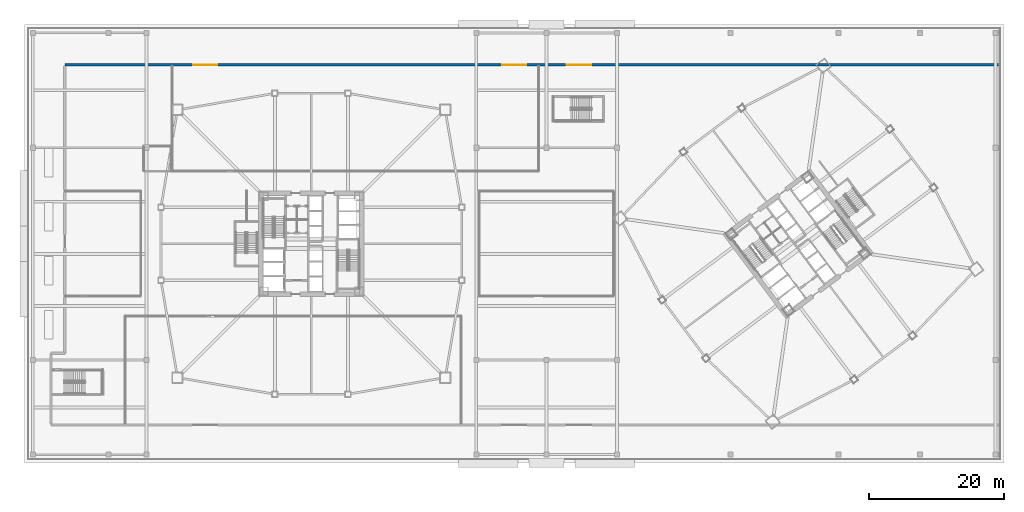
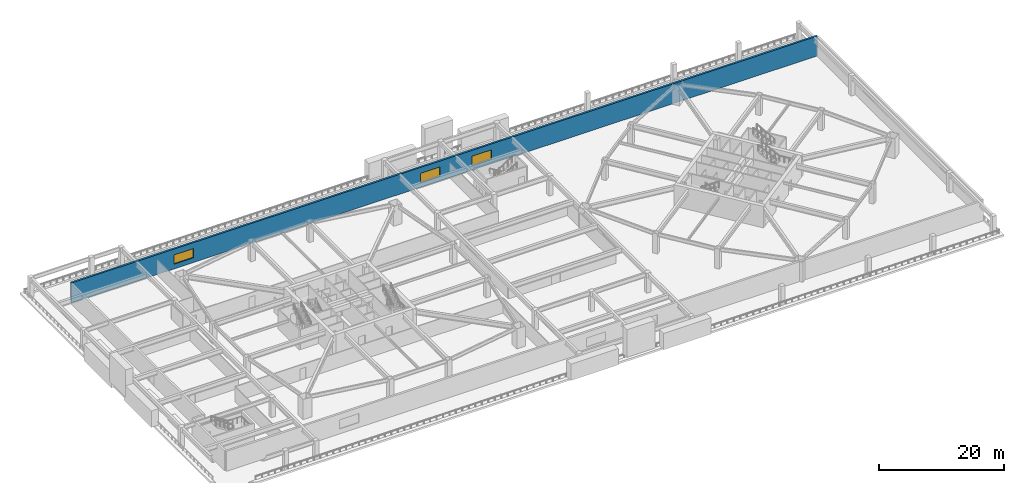
# One storey, part 9 of 20: 3 windows, 1 wall, 3 openings.
"""IFC4 building model written with IfcOpenShell, lengths in metres."""

from ifc_helpers import new_model, si_unit, direction, frame, frame_2d, origin, place, context, subcontext, project, spatial, rectangle, extrude, material, layer, layer_set, type_object, element, fill, save


model = new_model("IFC4")

# Units and contexts
model_context = context("Model", 3, precision=1e-05, world=origin(), true_north=direction((0.0, 1.0)))
body_context = subcontext(model_context, "Body", "Model", "MODEL_VIEW")
ifc_project = project(units=[si_unit("LENGTHUNIT", "METRE"), si_unit("AREAUNIT", "SQUARE_METRE"), si_unit("VOLUMEUNIT", "CUBIC_METRE"), si_unit("PLANEANGLEUNIT", "RADIAN"), si_unit("MASSUNIT", "GRAM", prefix="KILO")], contexts=[model_context])

# Site, building, storey
site_placement = place(None, origin())
site = spatial("IfcSite", under=ifc_project, at=site_placement, CompositionType="ELEMENT")
building_placement = place(site_placement, origin())
building = spatial("IfcBuilding", under=site, at=building_placement, Name="Tashvorn Skyway Center", CompositionType="ELEMENT")
storey_placement = place(building_placement, frame((0.0, 0.0, 15.60009765625)))
storey = spatial("IfcBuildingStorey", under=building, at=storey_placement, Name="L03", CompositionType="ELEMENT", Elevation=15.60009765625)

# Wall, openings, windows
ifc_material_1 = material(Name="Precast concrete C40/50", Category="concrete")
ifc_layer = layer(ifc_material_1, 0.35009765625)
ifc_layer_set = layer_set([ifc_layer], Name="Precast concrete C40/50")
wall_type = type_object("IfcWallType", Name="WALL-EXT-350", PredefinedType="SOLIDWALL", material=ifc_layer_set)
wall_placement = place(storey_placement, frame((5.550048828125, 58.449951171875, 0.0), z_axis=(0.0, 0.0, 1.0), x_axis=(1.0, 0.0, 0.0)))
wall = element("IfcWall", 1, at=wall_placement, inside=storey, type_object=wall_type, Name="L03 Stepped North Postmodern Facade Wall", PredefinedType="SOLIDWALL", context=body_context, shape_type="SweptSolid", body=[
    extrude(rectangle(XDim=138.27490234375, YDim=0.35009765625, at=frame_2d((69.137451171875, 0.0))), origin(), (0.0, 0.0, 1.0), 3.89990234375),
])
opening_1_placement = place(wall_placement, frame((18.949951171875, 0.0, 0.949951171875)))
opening_1 = element("IfcOpeningElement", 2, at=opening_1_placement, cuts=wall, Name="Opening WIN-3600", PredefinedType="OPENING", context=body_context, shape_type="SweptSolid", body=[
    extrude(rectangle(XDim=3.60009765625, YDim=1.800048828125, at=frame_2d((1.800048828125, 0.89990234375))), frame((0.0, 0.18505859375, 0.0), z_axis=(0.0, -1.0, 0.0), x_axis=(1.0, 0.0, 0.0)), (0.0, 0.0, 1.0), 0.3701171875),
])
opening_2_placement = place(wall_placement, frame((64.64990234375, 0.0, 0.949951171875)))
opening_2 = element("IfcOpeningElement", 3, at=opening_2_placement, cuts=wall, Name="Opening WIN-3600", PredefinedType="OPENING", context=body_context, shape_type="SweptSolid", body=[
    extrude(rectangle(XDim=3.60009765625, YDim=1.800048828125, at=frame_2d((1.800048828125, 0.89990234375))), frame((0.0, 0.18505859375, 0.0), z_axis=(0.0, -1.0, 0.0), x_axis=(1.0, 0.0, 0.0)), (0.0, 0.0, 1.0), 0.3701171875),
])
opening_3_placement = place(wall_placement, frame((74.25, 0.0, 0.949951171875)))
opening_3 = element("IfcOpeningElement", 4, at=opening_3_placement, cuts=wall, Name="Opening WIN-3600", PredefinedType="OPENING", context=body_context, shape_type="SweptSolid", body=[
    extrude(rectangle(XDim=3.60009765625, YDim=1.800048828125, at=frame_2d((1.800048828125, 0.89990234375))), frame((0.0, 0.18505859375, 0.0), z_axis=(0.0, -1.0, 0.0), x_axis=(1.0, 0.0, 0.0)), (0.0, 0.0, 1.0), 0.3701171875),
])
ifc_material_2 = material(Name="Low-E solar-control double insulating safety glass", Category="glass")
window_type = type_object("IfcWindowType", Name="WIN-CLER-3600", PartitioningType="SINGLE_PANEL", PredefinedType="WINDOW", material=ifc_material_2)
window_1_placement = place(opening_1_placement, origin())
window_1 = element("IfcWindow", 5, at=window_1_placement, inside=storey, type_object=window_type, Name="L03 Stepped North Clerestory Window 01", OverallHeight=1.800048828125, OverallWidth=3.60009765625, PartitioningType="SINGLE_PANEL", PredefinedType="WINDOW", context=body_context, shape_type="SweptSolid", body=[
    extrude(rectangle(XDim=3.60009765625, YDim=1.800048828125, at=frame_2d((1.800048828125, 0.89990234375))), frame((0.0, 0.030029296875, 0.0), z_axis=(0.0, -1.0, 0.0), x_axis=(1.0, 0.0, 0.0)), (0.0, 0.0, 1.0), 0.06005859375),
])
fill(opening_1, window_1)
window_2_placement = place(opening_2_placement, origin())
window_2 = element("IfcWindow", 6, at=window_2_placement, inside=storey, type_object=window_type, Name="L03 Stepped North Clerestory Window 02", OverallHeight=1.800048828125, OverallWidth=3.60009765625, PartitioningType="SINGLE_PANEL", PredefinedType="WINDOW", context=body_context, shape_type="SweptSolid", body=[
    extrude(rectangle(XDim=3.60009765625, YDim=1.800048828125, at=frame_2d((1.800048828125, 0.89990234375))), frame((0.0, 0.030029296875, 0.0), z_axis=(0.0, -1.0, 0.0), x_axis=(1.0, 0.0, 0.0)), (0.0, 0.0, 1.0), 0.06005859375),
])
fill(opening_2, window_2)
window_3_placement = place(opening_3_placement, origin())
window_3 = element("IfcWindow", 7, at=window_3_placement, inside=storey, type_object=window_type, Name="L03 Stepped North Clerestory Window 03", OverallHeight=1.800048828125, OverallWidth=3.60009765625, PartitioningType="SINGLE_PANEL", PredefinedType="WINDOW", context=body_context, shape_type="SweptSolid", body=[
    extrude(rectangle(XDim=3.60009765625, YDim=1.800048828125, at=frame_2d((1.800048828125, 0.89990234375))), frame((0.0, 0.030029296875, 0.0), z_axis=(0.0, -1.0, 0.0), x_axis=(1.0, 0.0, 0.0)), (0.0, 0.0, 1.0), 0.06005859375),
])
fill(opening_3, window_3)

save(model, "model.ifc")
